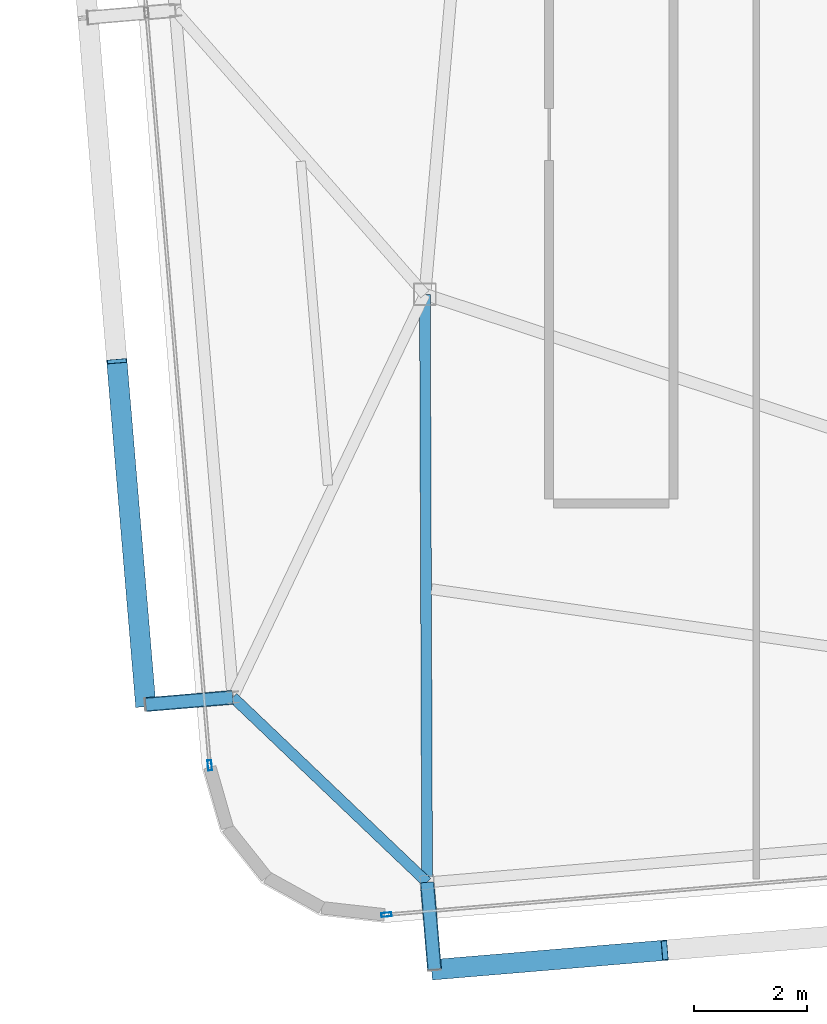
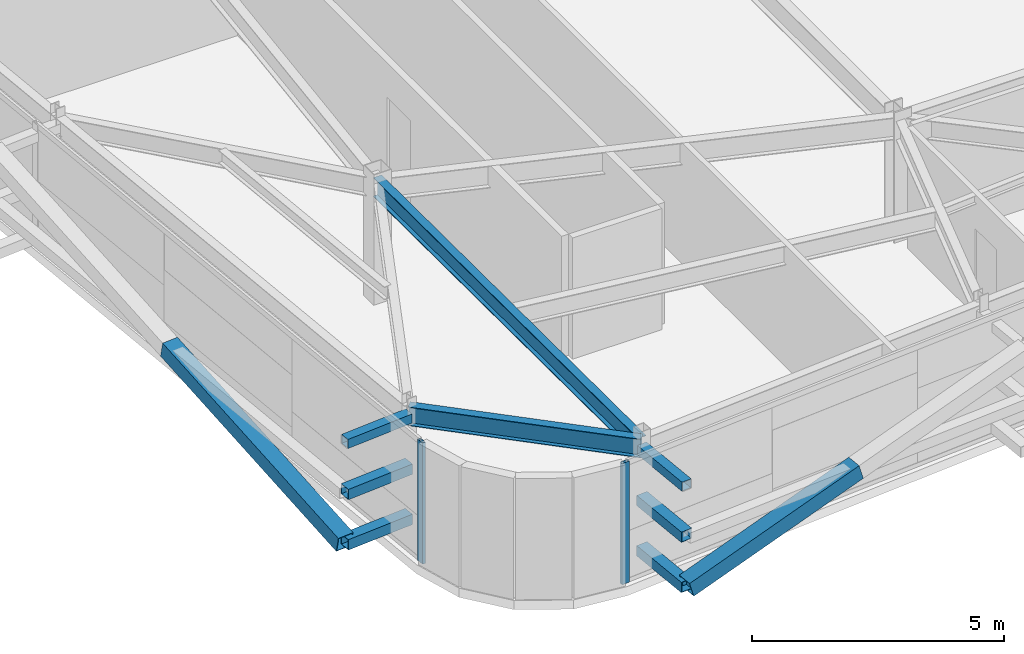
# One storey, part 7 of 39: 10 members, 2 beams, 2 elements without a shape of their own.
"""IFC4 building model written with IfcOpenShell, lengths in metres."""

from ifc_helpers import new_model, si_unit, direction, frame, origin, origin_2d, place, context, subcontext, project, spatial, hollow_rectangle, i_section, extrude, source, transform, mapped, material, layer, layer_set, material_profile, profile_set, type_object, element, aggregate, save


model = new_model("IFC4")

# Units and contexts
model_context = context("Model", 3, precision=1e-05, world=origin(), true_north=direction((0.0, 1.0)))
body_context = subcontext(model_context, "Body", "Model", "MODEL_VIEW")
ifc_project = project(units=[si_unit("LENGTHUNIT", "METRE"), si_unit("AREAUNIT", "SQUARE_METRE"), si_unit("VOLUMEUNIT", "CUBIC_METRE"), si_unit("PLANEANGLEUNIT", "RADIAN"), si_unit("MASSUNIT", "GRAM", prefix="KILO")], contexts=[model_context])

# Site, building, storey
site_placement = place(None, origin())
site = spatial("IfcSite", under=ifc_project, at=site_placement, CompositionType="ELEMENT")
building_placement = place(site_placement, origin())
building = spatial("IfcBuilding", under=site, at=building_placement, Name="Taldren Reach Tower", CompositionType="ELEMENT")
storey_placement = place(building_placement, frame((0.0, 0.0, 197.75)))
storey = spatial("IfcBuildingStorey", under=building, at=storey_placement, Name="L60", CompositionType="ELEMENT", Elevation=197.75)

# Members
ifc_material_1 = material(Name="Steel Gr 350 (C350L0)", Category="steel")
ifc_material_profile_1 = material_profile(ifc_material_1, hollow_rectangle(XDim=0.25, YDim=0.25, WallThickness=0.010009765625, at=origin_2d()), Name="250x250x10.0SHS")
ifc_profile_set_1 = profile_set([ifc_material_profile_1], Name="Steel Gr 350 (C350L0)")
member_type_1 = type_object("IfcMemberType", Name="MB-POST250", PredefinedType="POST", material=ifc_profile_set_1)
shared_shape_1 = source(origin(), body_context, "Body", "SweptSolid", [
    extrude(hollow_rectangle(XDim=0.25, YDim=0.25, WallThickness=0.010009765625, at=origin_2d()), origin(), (0.0, 0.0, 1.0), 1.5498046875),
])
for number, where, z_axis, x_axis, name in (
    (1, (18.03955078125, 2.093994140625, 0.219970703125), (0.083801560254, -0.996482462715, 0.0), (0.996482462715, 0.083801560254, 0.0), "Exoskeleton base diaphragm tie strut B4-S1 L60"),
    (2, (18.03955078125, 2.093994140625, 1.43505859375), (0.083801560254, -0.996482462715, 0.0), (0.996482462715, 0.083801560254, 0.0), "Exoskeleton mid-tier diaphragm tie B4-S1 L60"),
):
    element("IfcMember", number, at=place(storey_placement, frame(where, z_axis=z_axis, x_axis=x_axis)), inside=storey, type_object=member_type_1, Name=name, PredefinedType="POST", context=body_context, shape_type="MappedRepresentation", body=[
        mapped(shared_shape_1, transform((0.0, 0.0, 0.0), scale=1.0)),
    ])

# Beams
ifc_material_2 = material(Name="Steel Gr 350 (350PLUS)", Category="steel")
ifc_material_profile_2 = material_profile(ifc_material_2, i_section(OverallWidth=0.18994140625, OverallDepth=0.4541015625, WebThickness=0.008544921875, FlangeThickness=0.0126953125, at=origin_2d()), Name="460UB67.1")
ifc_profile_set_2 = profile_set([ifc_material_profile_2], Name="Steel Gr 350 (350PLUS)")
beam_type_1 = type_object("IfcBeamType", Name="SP-UB460B", PredefinedType="SPANDREL", material=ifc_profile_set_2)
shared_shape_2 = source(origin(), body_context, "Body", "SweptSolid", [
    extrude(i_section(OverallWidth=0.18994140625, OverallDepth=0.4541015625, WebThickness=0.008544921875, FlangeThickness=0.0126953125, at=origin_2d()), origin(), (0.0, 0.0, 1.0), 4.745849609375),
])
beam_1_placement = place(storey_placement, frame((14.603759765625, 5.367919921875, 2.702880859375), z_axis=(0.723954399605, -0.689847829084, 0.0), x_axis=(0.689847829084, 0.723954399605, 0.0)))
element("IfcBeam", 3, at=beam_1_placement, inside=storey, type_object=beam_type_1, Name="Perimeter spandrel B4 W1-S1 L60", PredefinedType="SPANDREL", context=body_context, shape_type="MappedRepresentation", body=[
    mapped(shared_shape_2, transform((0.0, 0.0, 0.0), scale=1.0)),
])
ifc_material_profile_3 = material_profile(ifc_material_2, i_section(OverallWidth=0.19091796875, OverallDepth=0.4599609375, WebThickness=0.010009765625, FlangeThickness=0.01611328125, at=origin_2d()), Name="460UB82.1")
ifc_profile_set_3 = profile_set([ifc_material_profile_3], Name="Steel Gr 350 (350PLUS)")
beam_type_2 = type_object("IfcBeamType", Name="BM-UB460A", PredefinedType="BEAM", material=ifc_profile_set_3)
shared_shape_3 = source(origin(), body_context, "Body", "SweptSolid", [
    extrude(i_section(OverallWidth=0.19091796875, OverallDepth=0.4599609375, WebThickness=0.010009765625, FlangeThickness=0.01611328125, at=origin_2d()), origin(), (0.0, 0.0, 1.0), 10.406005859375),
])
beam_2_placement = place(storey_placement, frame((18.0, 12.5, 2.699951171875), z_axis=(0.003800737393, -0.999992777172, 0.0), x_axis=(0.999992777172, 0.003800737393, 0.0)))
element("IfcBeam", 4, at=beam_2_placement, inside=storey, type_object=beam_type_2, Name="Primary floor girder B4-S1 L60", PredefinedType="BEAM", context=body_context, shape_type="MappedRepresentation", body=[
    mapped(shared_shape_3, transform((0.0, 0.0, 0.0), scale=1.0)),
])

# Members
ifc_material_3 = material(Name="Steel Gr 450 (C450L0)", Category="steel")
ifc_material_profile_4 = material_profile(ifc_material_3, hollow_rectangle(XDim=0.219970703125, YDim=0.219970703125, WallThickness=0.00830078125, at=origin_2d()), Name="220x220x8.2SHS")
ifc_profile_set_4 = profile_set([ifc_material_profile_4], Name="Steel Gr 450 (C450L0)")
member_type_2 = type_object("IfcMemberType", Name="MB-TIE219", PredefinedType="STRUT", material=ifc_profile_set_4)
shared_shape_4 = source(origin(), body_context, "Body", "SweptSolid", [
    extrude(hollow_rectangle(XDim=0.219970703125, YDim=0.219970703125, WallThickness=0.00830078125, at=origin_2d()), origin(), (0.0, 0.0, 1.0), 1.5498046875),
])
member_1_placement = place(storey_placement, frame((18.03955078125, 2.093994140625, 2.64990234375), z_axis=(0.083801560254, -0.996482462715, 0.0), x_axis=(0.996482462715, 0.083801560254, 0.0)))
element("IfcMember", 5, at=member_1_placement, inside=storey, type_object=member_type_2, Name="Exoskeleton diaphragm tie strut B4-S1 L60", PredefinedType="STRUT", context=body_context, shape_type="MappedRepresentation", body=[
    mapped(shared_shape_4, transform((0.0, 0.0, 0.0), scale=1.0)),
])
shared_shape_5 = source(origin(), body_context, "Body", "SweptSolid", [
    extrude(hollow_rectangle(XDim=0.219970703125, YDim=0.219970703125, WallThickness=0.00830078125, at=origin_2d()), origin(), (0.0, 0.0, 1.0), 1.54541015625),
])
member_2_placement = place(storey_placement, frame((14.59912109375, 5.36767578125, 2.64990234375), z_axis=(-0.99648887425, -0.083725285883, 0.0), x_axis=(0.083725285883, -0.99648887425, 0.0)))
element("IfcMember", 6, at=member_2_placement, inside=storey, type_object=member_type_2, Name="Exoskeleton diaphragm tie strut B4-W1 L60", PredefinedType="STRUT", context=body_context, shape_type="MappedRepresentation", body=[
    mapped(shared_shape_5, transform((0.0, 0.0, 0.0), scale=1.0)),
])
shared_shape_6 = source(origin(), body_context, "Body", "SweptSolid", [
    extrude(hollow_rectangle(XDim=0.25, YDim=0.25, WallThickness=0.010009765625, at=origin_2d()), origin(), (0.0, 0.0, 1.0), 1.54541015625),
])
for number, where, z_axis, x_axis, name in (
    (7, (14.59912109375, 5.36767578125, 0.219970703125), (-0.99648887425, -0.083725285883, 0.0), (0.083725285883, -0.99648887425, 0.0), "Exoskeleton base diaphragm tie strut B4-W1 L60"),
    (8, (14.59912109375, 5.36767578125, 1.43505859375), (-0.99648887425, -0.083725285883, 0.0), (0.083725285883, -0.99648887425, 0.0), "Exoskeleton mid-tier diaphragm tie B4-W1 L60"),
):
    element("IfcMember", number, at=place(storey_placement, frame(where, z_axis=z_axis, x_axis=x_axis)), inside=storey, type_object=member_type_1, Name=name, PredefinedType="POST", context=body_context, shape_type="MappedRepresentation", body=[
        mapped(shared_shape_6, transform((0.0, 0.0, 0.0), scale=1.0)),
    ])
ifc_material_profile_5 = material_profile(ifc_material_3, hollow_rectangle(XDim=0.360107421875, YDim=0.360107421875, WallThickness=0.0126953125, at=origin_2d()), Name="360x360x12.7SHS")
ifc_profile_set_5 = profile_set([ifc_material_profile_5], Name="Steel Gr 450 (C450L0)")
member_type_3 = type_object("IfcMemberType", Name="MB-EXO356", PredefinedType="BRACE", material=ifc_profile_set_5)
shared_shape_7 = source(origin(), body_context, "Body", "SweptSolid", [
    extrude(hollow_rectangle(XDim=0.360107421875, YDim=0.360107421875, WallThickness=0.0126953125, at=origin_2d()), origin(), (0.0, 0.0, 1.0), 4.2666015625),
])
member_3_placement = place(storey_placement, frame((18.16943359375, 0.549560546875, 0.219970703125), z_axis=(0.955233542365, 0.080165460216, 0.28478479336), x_axis=(-0.083628388178, 0.996497010879, 0.0)))
element("IfcMember", 9, at=member_3_placement, inside=storey, type_object=member_type_3, Name="Exoskeleton Diagrid Brace B4-S1 L60", PredefinedType="BRACE", context=body_context, shape_type="MappedRepresentation", body=[
    mapped(shared_shape_7, transform((0.0, 0.0, 0.0), scale=1.0)),
])
shared_shape_8 = source(origin(), body_context, "Body", "SweptSolid", [
    extrude(hollow_rectangle(XDim=0.360107421875, YDim=0.360107421875, WallThickness=0.0126953125, at=origin_2d()), origin(), (0.0, 0.0, 1.0), 6.219970703125),
])
member_4_placement = place(storey_placement, frame((13.05908203125, 5.23828125, 0.219970703125), z_axis=(-0.082075564879, 0.977291924611, 0.195356330179), x_axis=(-0.996492003099, -0.083688038336, 0.0)))
element("IfcMember", 10, at=member_4_placement, inside=storey, type_object=member_type_3, Name="Exoskeleton Diagrid Brace B4-W1 L60", PredefinedType="BRACE", context=body_context, shape_type="MappedRepresentation", body=[
    mapped(shared_shape_8, transform((0.0, 0.0, 0.0), scale=1.0)),
])

# Curtain wall, member
ifc_material_4 = material(Name="Aluminium and Low-E Glass Unitised System", Category="aluminium")
ifc_layer = layer(ifc_material_4, 0.159912109375)
ifc_layer_set = layer_set([ifc_layer], Name="Aluminium and Low-E Glass Unitised System")
curtain_wall_type = type_object("IfcCurtainWallType", Name="CW-SYS-5", PredefinedType="NOTDEFINED", material=ifc_layer_set)
curtain_wall_1_placement = place(storey_placement, origin())
curtain_wall_1 = element("IfcCurtainWall", 11, at=curtain_wall_1_placement, inside=storey, type_object=curtain_wall_type, Name="Unitised curtain wall CW-L60-S", PredefinedType="NOTDEFINED")
ifc_material_5 = material(Name="Anodised Aluminium 6063-T6", Category="aluminium")
ifc_material_profile_6 = material_profile(ifc_material_5, hollow_rectangle(XDim=0.070068359375, YDim=0.179931640625, WallThickness=0.00390625, at=origin_2d()), Name="ALU-180x70x4RHS")
ifc_profile_set_6 = profile_set([ifc_material_profile_6], Name="Anodised Aluminium 6063-T6")
member_type_4 = type_object("IfcMemberType", Name="CW-MUL-180", PredefinedType="MULLION", material=ifc_profile_set_6)
shared_shape_9 = source(origin(), body_context, "Body", "SweptSolid", [
    extrude(hollow_rectangle(XDim=0.070068359375, YDim=0.179931640625, WallThickness=0.00390625, at=origin_2d()), origin(), (0.0, 0.0, 1.0), 2.929931640625),
])
member_5_placement = place(storey_placement, frame((17.320068359375, 1.521728515625, 0.0), z_axis=(0.0, 0.0, 1.0), x_axis=(-0.083677894865, 0.996492854922, 0.0)))
member_5 = element("IfcMember", 12, at=member_5_placement, type_object=member_type_4, Name="CW-5 mullion 1", PredefinedType="MULLION", context=body_context, shape_type="MappedRepresentation", body=[
    mapped(shared_shape_9, transform((0.0, 0.0, 0.0), scale=1.0)),
])
aggregate(curtain_wall_1, [member_5])

curtain_wall_2_placement = place(storey_placement, origin())
curtain_wall_2 = element("IfcCurtainWall", 13, at=curtain_wall_2_placement, inside=storey, type_object=curtain_wall_type, Name="Unitised curtain wall CW-L60-W", PredefinedType="NOTDEFINED")
member_6_placement = place(storey_placement, frame((14.19287109375, 4.164306640625, 0.0), z_axis=(0.0, 0.0, 1.0), x_axis=(0.996492847789, 0.083677979808, 0.0)))
member_6 = element("IfcMember", 14, at=member_6_placement, type_object=member_type_4, Name="CW-5 mullion 3", PredefinedType="MULLION", context=body_context, shape_type="MappedRepresentation", body=[
    mapped(shared_shape_9, transform((0.0, 0.0, 0.0), scale=1.0)),
])
aggregate(curtain_wall_2, [member_6])

save(model, "model.ifc")
